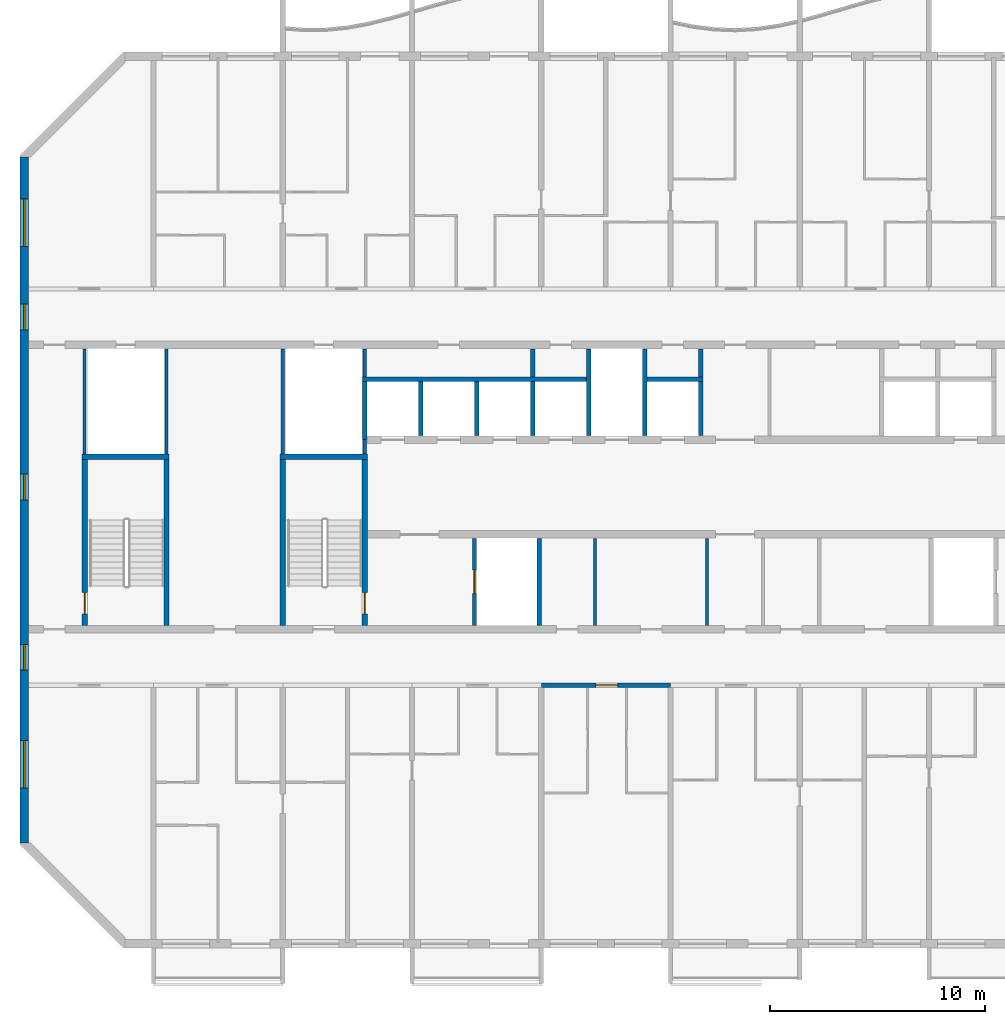
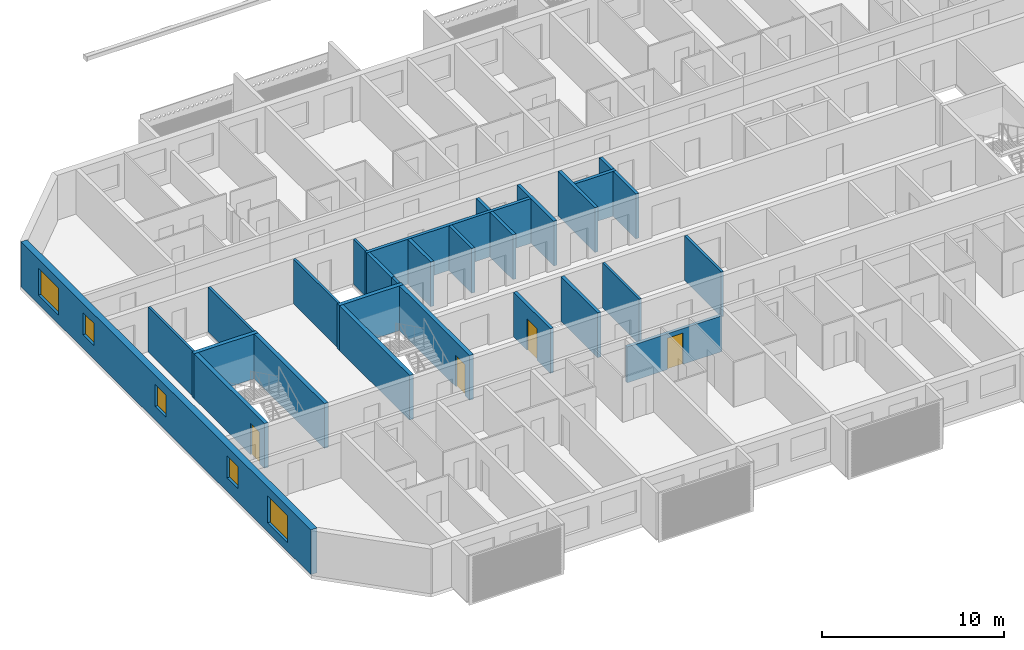
# One storey, part 5 of 20: 28 walls, 5 windows, 4 doors, 9 openings.
"""IFC4 building model written with IfcOpenShell, lengths in metres."""

from ifc_helpers import new_model, si_unit, direction, frame, frame_2d, origin, place, context, subcontext, project, spatial, rectangle, extrude, material, layer, layer_set, type_object, element, fill, save


model = new_model("IFC4")

# Units and contexts
model_context = context("Model", 3, precision=1e-05, world=origin(), true_north=direction((0.0, 1.0)))
body_context = subcontext(model_context, "Body", "Model", "MODEL_VIEW")
ifc_project = project(units=[si_unit("LENGTHUNIT", "METRE"), si_unit("AREAUNIT", "SQUARE_METRE"), si_unit("VOLUMEUNIT", "CUBIC_METRE"), si_unit("PLANEANGLEUNIT", "RADIAN"), si_unit("MASSUNIT", "GRAM", prefix="KILO")], contexts=[model_context])

# Site, building, storey
site_placement = place(None, origin())
site = spatial("IfcSite", under=ifc_project, at=site_placement, CompositionType="ELEMENT")
building_placement = place(site_placement, origin())
building = spatial("IfcBuilding", under=site, at=building_placement, Name="Poui Terraces", CompositionType="ELEMENT")
storey_placement = place(building_placement, frame((0.0, 0.0, 257.699951171875)))
storey = spatial("IfcBuildingStorey", under=building, at=storey_placement, Name="L72", CompositionType="ELEMENT", Elevation=257.699951171875)

# Wall
ifc_material_1 = material(Name="Fire-rated plasterboard wall")
ifc_layer_1 = layer(ifc_material_1, 0.14990234375)
ifc_layer_set_1 = layer_set([ifc_layer_1], Name="Fire-rated plasterboard wall")
wall_type_1 = type_object("IfcWallType", Name="CORRIDOR WALL 150", PredefinedType="PARTITIONING", material=ifc_layer_set_1)
wall_1_placement = place(storey_placement, frame((49.699951171875, 14.784912109375, 0.0), z_axis=(0.0, 0.0, 1.0), x_axis=(0.0, 1.0, 0.0)))
element("IfcWall", 1, at=wall_1_placement, inside=storey, type_object=wall_type_1, Name="CORRIDOR WALL 150", PredefinedType="PARTITIONING", context=body_context, shape_type="SweptSolid", body=[
    extrude(rectangle(XDim=4.030029296875, YDim=0.14990234375, at=frame_2d((2.01513671875, 0.0))), origin(), (0.0, 0.0, 1.0), 3.0),
])

# Wall, opening, door
ifc_material_2 = material(Name="Concrete 50 MPa", Category="concrete")
ifc_layer_2 = layer(ifc_material_2, 0.199951171875)
ifc_layer_set_2 = layer_set([ifc_layer_2], Name="Concrete 50 MPa")
wall_type_2 = type_object("IfcWallType", Name="CORRIDOR WALL 200 50MPa", PredefinedType="SHEAR", material=ifc_layer_set_2)
wall_2_placement = place(storey_placement, frame((42.0, 12.0, 0.0), z_axis=(0.0, 0.0, 1.0), x_axis=(1.0, 0.0, 0.0)))
wall_2 = element("IfcWall", 2, at=wall_2_placement, inside=storey, type_object=wall_type_2, Name="CORRIDOR WALL LINE B BAY 5", PredefinedType="SHEAR", context=body_context, shape_type="SweptSolid", body=[
    extrude(rectangle(XDim=6.0, YDim=0.199951171875, at=frame_2d((3.0, 0.0))), origin(), (0.0, 0.0, 1.0), 2.400146484375),
])
opening_1_placement = place(wall_2_placement, frame((2.550048828125, 0.0, 0.0)))
opening_1 = element("IfcOpeningElement", 3, at=opening_1_placement, cuts=wall_2, Name="Opening FD30S", PredefinedType="OPENING", context=body_context, shape_type="SweptSolid", body=[
    extrude(rectangle(XDim=1.0, YDim=2.10009765625, at=frame_2d((0.5, 1.050048828125))), frame((0.0, 0.10986328125, 0.0), z_axis=(0.0, -1.0, 0.0), x_axis=(1.0, 0.0, 0.0)), (0.0, 0.0, 1.0), 0.219970703125),
])
ifc_material_3 = material(Name="Steel fire door", Category="steel")
door_type_1 = type_object("IfcDoorType", Name="FLAT ENTRANCE DOOR 1000 X 2100", OperationType="NOTDEFINED", PredefinedType="DOOR", material=ifc_material_3)
door_1_placement = place(opening_1_placement, frame((1.0, 0.0, 0.0), z_axis=(0.0, 0.0, 1.0), x_axis=(-1.0, 0.0, 0.0)))
door_1 = element("IfcDoor", 4, at=door_1_placement, inside=storey, type_object=door_type_1, Name="FLAT ENTRANCE DOOR 074", OperationType="SINGLE_SWING_LEFT", OverallHeight=2.10009765625, OverallWidth=1.0, PredefinedType="DOOR", context=body_context, shape_type="SweptSolid", body=[
    extrude(rectangle(XDim=1.0, YDim=2.10009765625, at=frame_2d((0.5, 1.050048828125))), frame((0.0, 0.02490234375, 0.0), z_axis=(0.0, -1.0, 0.0), x_axis=(1.0, 0.0, 0.0)), (0.0, 0.0, 1.0), 0.050048828125),
])
fill(opening_1, door_1)

# Wall, openings, windows
ifc_layer_3 = layer(ifc_material_2, 0.39990234375)
ifc_layer_set_3 = layer_set([ifc_layer_3], Name="Concrete 50 MPa")
wall_type_3 = type_object("IfcWallType", Name="END WALL 400 50MPa", PredefinedType="SHEAR", material=ifc_layer_set_3)
wall_3_placement = place(storey_placement, frame((18.0, 4.682861328125, 0.0), z_axis=(0.0, 0.0, 1.0), x_axis=(0.0, 1.0, 0.0)))
wall_3 = element("IfcWall", 5, at=wall_3_placement, inside=storey, type_object=wall_type_3, Name="END WALL WEST", PredefinedType="SHEAR", context=body_context, shape_type="SweptSolid", body=[
    extrude(rectangle(XDim=31.834228515625, YDim=0.39990234375, at=frame_2d((15.9169921875, 0.0))), origin(), (0.0, 0.0, 1.0), 3.0),
])
opening_2_placement = place(wall_3_placement, frame((23.817138671875, 0.0, 0.89990234375)))
opening_2 = element("IfcOpeningElement", 6, at=opening_2_placement, cuts=wall_3, Name="Opening W2", PredefinedType="OPENING", context=body_context, shape_type="SweptSolid", body=[
    extrude(rectangle(XDim=1.199951171875, YDim=1.5, at=frame_2d((0.60009765625, 0.75))), frame((0.0, 0.2099609375, 0.0), z_axis=(0.0, -1.0, 0.0), x_axis=(1.0, 0.0, 0.0)), (0.0, 0.0, 1.0), 0.419921875),
])
opening_3_placement = place(wall_3_placement, frame((8.01708984375, 0.0, 0.89990234375)))
opening_3 = element("IfcOpeningElement", 7, at=opening_3_placement, cuts=wall_3, Name="Opening W2", PredefinedType="OPENING", context=body_context, shape_type="SweptSolid", body=[
    extrude(rectangle(XDim=1.199951171875, YDim=1.5, at=frame_2d((0.60009765625, 0.75))), frame((0.0, 0.2099609375, 0.0), z_axis=(0.0, -1.0, 0.0), x_axis=(1.0, 0.0, 0.0)), (0.0, 0.0, 1.0), 0.419921875),
])
opening_4_placement = place(wall_3_placement, frame((27.693603515625, 0.0, 0.60009765625)))
opening_4 = element("IfcOpeningElement", 8, at=opening_4_placement, cuts=wall_3, Name="Opening W3", PredefinedType="OPENING", context=body_context, shape_type="SweptSolid", body=[
    extrude(rectangle(XDim=2.199951171875, YDim=1.800048828125, at=frame_2d((1.10009765625, 0.89990234375))), frame((0.0, 0.2099609375, 0.0), z_axis=(0.0, -1.0, 0.0), x_axis=(1.0, 0.0, 0.0)), (0.0, 0.0, 1.0), 0.419921875),
])
opening_5_placement = place(wall_3_placement, frame((2.541015625, 0.0, 0.60009765625)))
opening_5 = element("IfcOpeningElement", 9, at=opening_5_placement, cuts=wall_3, Name="Opening W3", PredefinedType="OPENING", context=body_context, shape_type="SweptSolid", body=[
    extrude(rectangle(XDim=2.199951171875, YDim=1.800048828125, at=frame_2d((1.10009765625, 0.89990234375))), frame((0.0, 0.2099609375, 0.0), z_axis=(0.0, -1.0, 0.0), x_axis=(1.0, 0.0, 0.0)), (0.0, 0.0, 1.0), 0.419921875),
])
opening_6_placement = place(wall_3_placement, frame((15.917236328125, 0.0, 0.89990234375)))
opening_6 = element("IfcOpeningElement", 10, at=opening_6_placement, cuts=wall_3, Name="Opening W2", PredefinedType="OPENING", context=body_context, shape_type="SweptSolid", body=[
    extrude(rectangle(XDim=1.199951171875, YDim=1.5, at=frame_2d((0.60009765625, 0.75))), frame((0.0, 0.2099609375, 0.0), z_axis=(0.0, -1.0, 0.0), x_axis=(1.0, 0.0, 0.0)), (0.0, 0.0, 1.0), 0.419921875),
])
ifc_material_4 = material(Name="Clear glass in aluminium frame", Category="aluminium")
window_type_1 = type_object("IfcWindowType", Name="WINDOW 1200X1500", PartitioningType="SINGLE_PANEL", PredefinedType="WINDOW", material=ifc_material_4)
window_1_placement = place(opening_2_placement, origin())
window_1 = element("IfcWindow", 11, at=window_1_placement, inside=storey, type_object=window_type_1, Name="W2 WINDOW", OverallHeight=1.5, OverallWidth=1.199951171875, PartitioningType="SINGLE_PANEL", PredefinedType="WINDOW", context=body_context, shape_type="SweptSolid", body=[
    extrude(rectangle(XDim=1.199951171875, YDim=1.5, at=frame_2d((0.60009765625, 0.75))), frame((0.0, 0.030029296875, 0.0), z_axis=(0.0, -1.0, 0.0), x_axis=(1.0, 0.0, 0.0)), (0.0, 0.0, 1.0), 0.06005859375),
])
fill(opening_2, window_1)
window_2_placement = place(opening_3_placement, origin())
window_2 = element("IfcWindow", 12, at=window_2_placement, inside=storey, type_object=window_type_1, Name="W2 WINDOW", OverallHeight=1.5, OverallWidth=1.199951171875, PartitioningType="SINGLE_PANEL", PredefinedType="WINDOW", context=body_context, shape_type="SweptSolid", body=[
    extrude(rectangle(XDim=1.199951171875, YDim=1.5, at=frame_2d((0.60009765625, 0.75))), frame((0.0, 0.030029296875, 0.0), z_axis=(0.0, -1.0, 0.0), x_axis=(1.0, 0.0, 0.0)), (0.0, 0.0, 1.0), 0.06005859375),
])
fill(opening_3, window_2)
window_3_placement = place(opening_6_placement, origin())
window_3 = element("IfcWindow", 13, at=window_3_placement, inside=storey, type_object=window_type_1, Name="W2 WINDOW", OverallHeight=1.5, OverallWidth=1.199951171875, PartitioningType="SINGLE_PANEL", PredefinedType="WINDOW", context=body_context, shape_type="SweptSolid", body=[
    extrude(rectangle(XDim=1.199951171875, YDim=1.5, at=frame_2d((0.60009765625, 0.75))), frame((0.0, 0.030029296875, 0.0), z_axis=(0.0, -1.0, 0.0), x_axis=(1.0, 0.0, 0.0)), (0.0, 0.0, 1.0), 0.06005859375),
])
fill(opening_6, window_3)
window_type_2 = type_object("IfcWindowType", Name="WINDOW 2200X1800", PartitioningType="DOUBLE_PANEL_HORIZONTAL", PredefinedType="WINDOW", material=ifc_material_4)
window_4_placement = place(opening_4_placement, origin())
window_4 = element("IfcWindow", 14, at=window_4_placement, inside=storey, type_object=window_type_2, Name="W3 WINDOW", OverallHeight=1.800048828125, OverallWidth=2.199951171875, PartitioningType="DOUBLE_PANEL_HORIZONTAL", PredefinedType="WINDOW", context=body_context, shape_type="SweptSolid", body=[
    extrude(rectangle(XDim=2.199951171875, YDim=1.800048828125, at=frame_2d((1.10009765625, 0.89990234375))), frame((0.0, 0.030029296875, 0.0), z_axis=(0.0, -1.0, 0.0), x_axis=(1.0, 0.0, 0.0)), (0.0, 0.0, 1.0), 0.06005859375),
])
fill(opening_4, window_4)
window_5_placement = place(opening_5_placement, origin())
window_5 = element("IfcWindow", 15, at=window_5_placement, inside=storey, type_object=window_type_2, Name="W3 WINDOW", OverallHeight=1.800048828125, OverallWidth=2.199951171875, PartitioningType="DOUBLE_PANEL_HORIZONTAL", PredefinedType="WINDOW", context=body_context, shape_type="SweptSolid", body=[
    extrude(rectangle(XDim=2.199951171875, YDim=1.800048828125, at=frame_2d((1.10009765625, 0.89990234375))), frame((0.0, 0.030029296875, 0.0), z_axis=(0.0, -1.0, 0.0), x_axis=(1.0, 0.0, 0.0)), (0.0, 0.0, 1.0), 0.06005859375),
])
fill(opening_5, window_5)

# Walls
ifc_material_5 = material(Name="Plasterboard partition")
ifc_layer_4 = layer(ifc_material_5, 0.14990234375)
ifc_layer_set_4 = layer_set([ifc_layer_4], Name="Plasterboard partition")
wall_type_4 = type_object("IfcWallType", Name="PARTITION WALL 150", PredefinedType="PARTITIONING", material=ifc_layer_set_4)
wall_4_placement = place(storey_placement, frame((44.5, 14.784912109375, 0.0), z_axis=(0.0, 0.0, 1.0), x_axis=(0.0, 1.0, 0.0)))
element("IfcWall", 16, at=wall_4_placement, inside=storey, type_object=wall_type_4, Name="PARTITION WALL 150", PredefinedType="PARTITIONING", context=body_context, shape_type="SweptSolid", body=[
    extrude(rectangle(XDim=4.030029296875, YDim=0.14990234375, at=frame_2d((2.01513671875, 0.0))), origin(), (0.0, 0.0, 1.0), 3.0),
])
ifc_material_6 = material(Name="Fire-rated masonry wall", Category="masonry")
ifc_layer_5 = layer(ifc_material_6, 0.199951171875)
ifc_layer_set_5 = layer_set([ifc_layer_5], Name="Fire-rated masonry wall")
wall_type_5 = type_object("IfcWallType", Name="PLANT ROOM WALL 200", PredefinedType="PARTITIONING", material=ifc_layer_set_5)
for number, where, z_axis, x_axis, name in (
    (17, (41.60009765625, 26.300048828125, 0.0), (0.0, 0.0, 1.0), (0.0, 1.0, 0.0), "PLANT ROOM WALL 200"),
    (18, (49.39990234375, 26.300048828125, 0.0), (0.0, 0.0, 1.0), (0.0, 1.0, 0.0), "PLANT ROOM WALL 200"),
):
    element("IfcWall", number, at=place(storey_placement, frame(where, z_axis=z_axis, x_axis=x_axis)), inside=storey, type_object=wall_type_5, Name=name, PredefinedType="PARTITIONING", context=body_context, shape_type="SweptSolid", body=[
        extrude(rectangle(XDim=1.31494140625, YDim=0.199951171875, at=frame_2d((0.657470703125, 0.0))), origin(), (0.0, 0.0, 1.0), 3.0),
    ])
ifc_material_7 = material(Name="Fire-rated plasterboard riser wall")
ifc_layer_6 = layer(ifc_material_7, 0.14990234375)
ifc_layer_set_6 = layer_set([ifc_layer_6], Name="Fire-rated plasterboard riser wall")
wall_type_6 = type_object("IfcWallType", Name="RISER WALL 150", PredefinedType="PARTITIONING", material=ifc_layer_set_6)
for number, where, z_axis, x_axis, name in (
    (19, (20.800048828125, 22.735107421875, 0.0), (0.0, 0.0, 1.0), (0.0, 1.0, 0.0), "RISER WALL 150"),
    (20, (24.60009765625, 22.735107421875, 0.0), (0.0, 0.0, 1.0), (0.0, 1.0, 0.0), "RISER WALL 150"),
    (21, (30.0, 22.735107421875, 0.0), (0.0, 0.0, 1.0), (0.0, 1.0, 0.0), "RISER WALL 150"),
):
    element("IfcWall", number, at=place(storey_placement, frame(where, z_axis=z_axis, x_axis=x_axis)), inside=storey, type_object=wall_type_6, Name=name, PredefinedType="PARTITIONING", context=body_context, shape_type="SweptSolid", body=[
        extrude(rectangle(XDim=4.8798828125, YDim=0.14990234375, at=frame_2d((2.43994140625, 0.0))), origin(), (0.0, 0.0, 1.0), 3.0),
    ])
wall_5_placement = place(storey_placement, frame((33.800048828125, 22.735107421875, 0.0), z_axis=(0.0, 0.0, 1.0), x_axis=(0.0, 1.0, 0.0)))
element("IfcWall", 22, at=wall_5_placement, inside=storey, type_object=wall_type_6, Name="RISER WALL 150", PredefinedType="PARTITIONING", context=body_context, shape_type="SweptSolid", body=[
    extrude(rectangle(XDim=0.664794921875, YDim=0.14990234375, at=frame_2d((0.33251953125, 0.0))), origin(), (0.0, 0.0, 1.0), 3.0),
])
wall_6_placement = place(storey_placement, frame((33.800048828125, 26.300048828125, 0.0), z_axis=(0.0, 0.0, 1.0), x_axis=(0.0, 1.0, 0.0)))
element("IfcWall", 23, at=wall_6_placement, inside=storey, type_object=wall_type_6, Name="RISER WALL 150", PredefinedType="PARTITIONING", context=body_context, shape_type="SweptSolid", body=[
    extrude(rectangle(XDim=1.31494140625, YDim=0.14990234375, at=frame_2d((0.657470703125, 0.0))), origin(), (0.0, 0.0, 1.0), 3.0),
])
ifc_material_8 = material(Name="Fire-rated masonry shaft wall", Category="masonry")
ifc_layer_7 = layer(ifc_material_8, 0.199951171875)
ifc_layer_set_7 = layer_set([ifc_layer_7], Name="Fire-rated masonry shaft wall")
wall_type_7 = type_object("IfcWallType", Name="SHAFT WALL 200", PredefinedType="PARTITIONING", material=ifc_layer_set_7)
wall_7_placement = place(storey_placement, frame((33.699951171875, 26.199951171875, 0.0), z_axis=(0.0, 0.0, 1.0), x_axis=(1.0, 0.0, 0.0)))
element("IfcWall", 24, at=wall_7_placement, inside=storey, type_object=wall_type_7, Name="SHAFT WALL 200", PredefinedType="PARTITIONING", context=body_context, shape_type="SweptSolid", body=[
    extrude(rectangle(XDim=10.400146484375, YDim=0.199951171875, at=frame_2d((5.2001953125, 0.0))), origin(), (0.0, 0.0, 1.0), 3.0),
])
wall_8_placement = place(storey_placement, frame((46.89990234375, 26.199951171875, 0.0), z_axis=(0.0, 0.0, 1.0), x_axis=(1.0, 0.0, 0.0)))
element("IfcWall", 25, at=wall_8_placement, inside=storey, type_object=wall_type_7, Name="SHAFT WALL 200", PredefinedType="PARTITIONING", context=body_context, shape_type="SweptSolid", body=[
    extrude(rectangle(XDim=2.60009765625, YDim=0.199951171875, at=frame_2d((1.300048828125, 0.0))), origin(), (0.0, 0.0, 1.0), 3.0),
])
wall_9_placement = place(storey_placement, frame((33.800048828125, 23.39990234375, 0.0), z_axis=(0.0, 0.0, 1.0), x_axis=(0.0, 1.0, 0.0)))
element("IfcWall", 26, at=wall_9_placement, inside=storey, type_object=wall_type_7, Name="SHAFT WALL 200", PredefinedType="PARTITIONING", context=body_context, shape_type="SweptSolid", body=[
    extrude(rectangle(XDim=2.7001953125, YDim=0.199951171875, at=frame_2d((1.35009765625, 0.0))), origin(), (0.0, 0.0, 1.0), 3.0),
])
wall_10_placement = place(storey_placement, frame((36.39990234375, 23.5849609375, 0.0), z_axis=(0.0, 0.0, 1.0), x_axis=(0.0, 1.0, 0.0)))
element("IfcWall", 27, at=wall_10_placement, inside=storey, type_object=wall_type_7, Name="SHAFT WALL 200", PredefinedType="PARTITIONING", context=body_context, shape_type="SweptSolid", body=[
    extrude(rectangle(XDim=2.51513671875, YDim=0.199951171875, at=frame_2d((1.257568359375, 0.0))), origin(), (0.0, 0.0, 1.0), 3.0),
])

# Wall, opening, door
wall_11_placement = place(storey_placement, frame((38.89990234375, 14.784912109375, 0.0), z_axis=(0.0, 0.0, 1.0), x_axis=(0.0, 1.0, 0.0)))
wall_11 = element("IfcWall", 28, at=wall_11_placement, inside=storey, type_object=wall_type_7, Name="SHAFT WALL 200", PredefinedType="PARTITIONING", context=body_context, shape_type="SweptSolid", body=[
    extrude(rectangle(XDim=4.030029296875, YDim=0.199951171875, at=frame_2d((2.01513671875, 0.0))), origin(), (0.0, 0.0, 1.0), 3.0),
])
opening_7_placement = place(wall_11_placement, frame((1.465087890625, 0.0, 0.0)))
opening_7 = element("IfcOpeningElement", 29, at=opening_7_placement, cuts=wall_11, Name="Opening LD", PredefinedType="OPENING", context=body_context, shape_type="SweptSolid", body=[
    extrude(rectangle(XDim=1.10009765625, YDim=2.10009765625, at=frame_2d((0.550048828125, 1.050048828125))), frame((0.0, 0.10986328125, 0.0), z_axis=(0.0, -1.0, 0.0), x_axis=(1.0, 0.0, 0.0)), (0.0, 0.0, 1.0), 0.219970703125),
])
ifc_material_9 = material(Name="Stainless steel sliding door", Category="steel")
door_type_2 = type_object("IfcDoorType", Name="LIFT LANDING DOOR 1100 X 2100", OperationType="DOUBLE_DOOR_SLIDING", PredefinedType="DOOR", material=ifc_material_9)
door_2_placement = place(opening_7_placement, origin())
door_2 = element("IfcDoor", 30, at=door_2_placement, inside=storey, type_object=door_type_2, Name="LANDING DOOR", OperationType="DOUBLE_DOOR_SLIDING", OverallHeight=2.10009765625, OverallWidth=1.10009765625, PredefinedType="DOOR", context=body_context, shape_type="SweptSolid", body=[
    extrude(rectangle(XDim=1.10009765625, YDim=2.10009765625, at=frame_2d((0.550048828125, 1.050048828125))), frame((0.0, 0.02490234375, 0.0), z_axis=(0.0, -1.0, 0.0), x_axis=(1.0, 0.0, 0.0)), (0.0, 0.0, 1.0), 0.050048828125),
])
fill(opening_7, door_2)

# Walls
for number, where, z_axis, x_axis, name in (
    (31, (39.0, 23.5849609375, 0.0), (0.0, 0.0, 1.0), (0.0, 1.0, 0.0), "SHAFT WALL 200"),
    (32, (41.60009765625, 23.5849609375, 0.0), (0.0, 0.0, 1.0), (0.0, 1.0, 0.0), "SHAFT WALL 200"),
):
    element("IfcWall", number, at=place(storey_placement, frame(where, z_axis=z_axis, x_axis=x_axis)), inside=storey, type_object=wall_type_7, Name=name, PredefinedType="PARTITIONING", context=body_context, shape_type="SweptSolid", body=[
        extrude(rectangle(XDim=2.51513671875, YDim=0.199951171875, at=frame_2d((1.257568359375, 0.0))), origin(), (0.0, 0.0, 1.0), 3.0),
    ])
for number, where, z_axis, x_axis, name in (
    (33, (41.89990234375, 14.784912109375, 0.0), (0.0, 0.0, 1.0), (0.0, 1.0, 0.0), "SHAFT WALL 200"),
    (34, (44.199951171875, 23.5849609375, 0.0), (0.0, 0.0, 1.0), (0.0, 1.0, 0.0), "SHAFT WALL 200"),
    (35, (46.800048828125, 23.5849609375, 0.0), (0.0, 0.0, 1.0), (0.0, 1.0, 0.0), "SHAFT WALL 200"),
):
    element("IfcWall", number, at=place(storey_placement, frame(where, z_axis=z_axis, x_axis=x_axis)), inside=storey, type_object=wall_type_7, Name=name, PredefinedType="PARTITIONING", context=body_context, shape_type="SweptSolid", body=[
        extrude(rectangle(XDim=4.030029296875, YDim=0.199951171875, at=frame_2d((2.01513671875, 0.0))), origin(), (0.0, 0.0, 1.0), 3.0),
    ])
wall_12_placement = place(storey_placement, frame((49.39990234375, 23.5849609375, 0.0), z_axis=(0.0, 0.0, 1.0), x_axis=(0.0, 1.0, 0.0)))
element("IfcWall", 36, at=wall_12_placement, inside=storey, type_object=wall_type_7, Name="SHAFT WALL 200", PredefinedType="PARTITIONING", context=body_context, shape_type="SweptSolid", body=[
    extrude(rectangle(XDim=2.51513671875, YDim=0.199951171875, at=frame_2d((1.257568359375, 0.0))), origin(), (0.0, 0.0, 1.0), 3.0),
])
ifc_layer_8 = layer(ifc_material_2, 0.25)
ifc_layer_set_8 = layer_set([ifc_layer_8], Name="Concrete 50 MPa")
wall_type_8 = type_object("IfcWallType", Name="STAIR CORE WALL 250 50 MPA", PredefinedType="SOLIDWALL", material=ifc_layer_set_8)
wall_13_placement = place(storey_placement, frame((30.0, 14.77490234375, 0.0), z_axis=(0.0, 0.0, 1.0), x_axis=(0.0, 1.0, 0.0)))
element("IfcWall", 37, at=wall_13_placement, inside=storey, type_object=wall_type_8, Name="STAIR CORE WALL", PredefinedType="SOLIDWALL", context=body_context, shape_type="SweptSolid", body=[
    extrude(rectangle(XDim=7.7001953125, YDim=0.25, at=frame_2d((3.85009765625, 0.0))), origin(), (0.0, 0.0, 1.0), 3.0),
])

# Wall, opening, door
wall_14_placement = place(storey_placement, frame((33.800048828125, 14.77490234375, 0.0), z_axis=(0.0, 0.0, 1.0), x_axis=(0.0, 1.0, 0.0)))
wall_14 = element("IfcWall", 38, at=wall_14_placement, inside=storey, type_object=wall_type_8, Name="STAIR CORE WALL", PredefinedType="SOLIDWALL", context=body_context, shape_type="SweptSolid", body=[
    extrude(rectangle(XDim=7.7001953125, YDim=0.25, at=frame_2d((3.85009765625, 0.0))), origin(), (0.0, 0.0, 1.0), 3.0),
])
opening_8_placement = place(wall_14_placement, frame((0.52490234375, 0.0, 0.0)))
opening_8 = element("IfcOpeningElement", 39, at=opening_8_placement, cuts=wall_14, Name="Opening FD60S", PredefinedType="OPENING", context=body_context, shape_type="SweptSolid", body=[
    extrude(rectangle(XDim=1.0, YDim=2.10009765625, at=frame_2d((0.5, 1.050048828125))), frame((0.0, 0.135009765625, 0.0), z_axis=(0.0, -1.0, 0.0), x_axis=(1.0, 0.0, 0.0)), (0.0, 0.0, 1.0), 0.27001953125),
])
door_type_3 = type_object("IfcDoorType", Name="STAIR DOOR 1000 X 2100", OperationType="NOTDEFINED", PredefinedType="DOOR", material=ifc_material_3)
door_3_placement = place(opening_8_placement, origin())
door_3 = element("IfcDoor", 40, at=door_3_placement, inside=storey, type_object=door_type_3, Name="STAIR DOOR 096", OperationType="SINGLE_SWING_LEFT", OverallHeight=2.10009765625, OverallWidth=1.0, PredefinedType="DOOR", context=body_context, shape_type="SweptSolid", body=[
    extrude(rectangle(XDim=1.0, YDim=2.10009765625, at=frame_2d((0.5, 1.050048828125))), frame((0.0, 0.02490234375, 0.0), z_axis=(0.0, -1.0, 0.0), x_axis=(1.0, 0.0, 0.0)), (0.0, 0.0, 1.0), 0.050048828125),
])
fill(opening_8, door_3)

# Wall
wall_15_placement = place(storey_placement, frame((29.875, 22.60009765625, 0.0), z_axis=(0.0, 0.0, 1.0), x_axis=(1.0, 0.0, 0.0)))
element("IfcWall", 41, at=wall_15_placement, inside=storey, type_object=wall_type_8, Name="STAIR CORE WALL", PredefinedType="SOLIDWALL", context=body_context, shape_type="SweptSolid", body=[
    extrude(rectangle(XDim=4.050048828125, YDim=0.25, at=frame_2d((2.02490234375, 0.0))), origin(), (0.0, 0.0, 1.0), 3.0),
])

# Wall, opening, door
wall_16_placement = place(storey_placement, frame((20.800048828125, 14.77490234375, 0.0), z_axis=(0.0, 0.0, 1.0), x_axis=(0.0, 1.0, 0.0)))
wall_16 = element("IfcWall", 42, at=wall_16_placement, inside=storey, type_object=wall_type_8, Name="STAIR CORE WALL", PredefinedType="SOLIDWALL", context=body_context, shape_type="SweptSolid", body=[
    extrude(rectangle(XDim=7.7001953125, YDim=0.25, at=frame_2d((3.85009765625, 0.0))), origin(), (0.0, 0.0, 1.0), 3.0),
])
opening_9_placement = place(wall_16_placement, frame((0.52490234375, 0.0, 0.0)))
opening_9 = element("IfcOpeningElement", 43, at=opening_9_placement, cuts=wall_16, Name="Opening FD60S", PredefinedType="OPENING", context=body_context, shape_type="SweptSolid", body=[
    extrude(rectangle(XDim=1.0, YDim=2.10009765625, at=frame_2d((0.5, 1.050048828125))), frame((0.0, 0.135009765625, 0.0), z_axis=(0.0, -1.0, 0.0), x_axis=(1.0, 0.0, 0.0)), (0.0, 0.0, 1.0), 0.27001953125),
])
door_4_placement = place(opening_9_placement, frame((1.0, 0.0, 0.0), z_axis=(0.0, 0.0, 1.0), x_axis=(-1.0, 0.0, 0.0)))
door_4 = element("IfcDoor", 44, at=door_4_placement, inside=storey, type_object=door_type_3, Name="STAIR DOOR 110", OperationType="SINGLE_SWING_RIGHT", OverallHeight=2.10009765625, OverallWidth=1.0, PredefinedType="DOOR", context=body_context, shape_type="SweptSolid", body=[
    extrude(rectangle(XDim=1.0, YDim=2.10009765625, at=frame_2d((0.5, 1.050048828125))), frame((0.0, 0.02490234375, 0.0), z_axis=(0.0, -1.0, 0.0), x_axis=(1.0, 0.0, 0.0)), (0.0, 0.0, 1.0), 0.050048828125),
])
fill(opening_9, door_4)

# Walls
wall_17_placement = place(storey_placement, frame((24.60009765625, 14.77490234375, 0.0), z_axis=(0.0, 0.0, 1.0), x_axis=(0.0, 1.0, 0.0)))
element("IfcWall", 45, at=wall_17_placement, inside=storey, type_object=wall_type_8, Name="STAIR CORE WALL", PredefinedType="SOLIDWALL", context=body_context, shape_type="SweptSolid", body=[
    extrude(rectangle(XDim=7.7001953125, YDim=0.25, at=frame_2d((3.85009765625, 0.0))), origin(), (0.0, 0.0, 1.0), 3.0),
])
wall_18_placement = place(storey_placement, frame((20.675048828125, 22.60009765625, 0.0), z_axis=(0.0, 0.0, 1.0), x_axis=(1.0, 0.0, 0.0)))
element("IfcWall", 46, at=wall_18_placement, inside=storey, type_object=wall_type_8, Name="STAIR CORE WALL", PredefinedType="SOLIDWALL", context=body_context, shape_type="SweptSolid", body=[
    extrude(rectangle(XDim=4.050048828125, YDim=0.25, at=frame_2d((2.02490234375, 0.0))), origin(), (0.0, 0.0, 1.0), 3.0),
])

save(model, "model.ifc")
